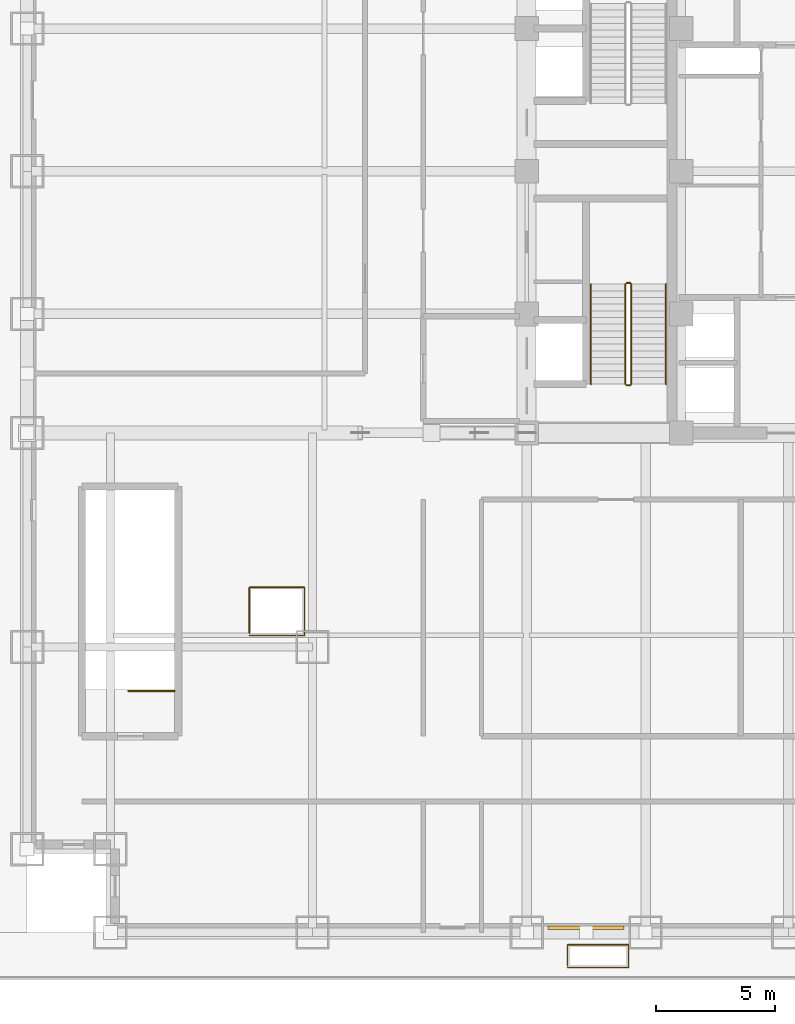
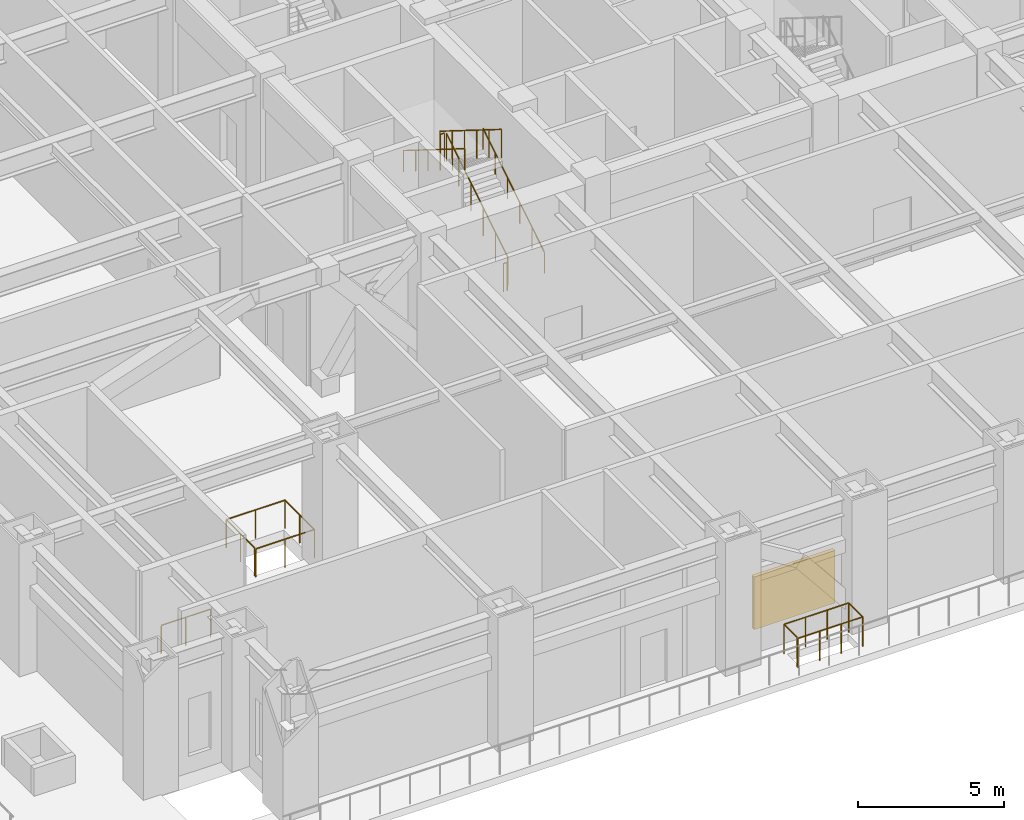
# One storey, part 17 of 21: 9 railings, 1 shading device.
"""IFC4 building model written with IfcOpenShell, lengths in metres."""

from ifc_helpers import new_model, si_unit, direction, frame, origin, origin_2d, place, context, subcontext, project, spatial, rectangle, circle, extrude, source, transform, mapped, material, layer, layer_set, type_object, element, save


model = new_model("IFC4")

# Units and contexts
model_context = context("Model", 3, precision=1e-05, world=origin(), true_north=direction((0.0, 1.0)))
body_context = subcontext(model_context, "Body", "Model", "MODEL_VIEW")
ifc_project = project(units=[si_unit("LENGTHUNIT", "METRE"), si_unit("AREAUNIT", "SQUARE_METRE"), si_unit("VOLUMEUNIT", "CUBIC_METRE"), si_unit("PLANEANGLEUNIT", "RADIAN"), si_unit("MASSUNIT", "GRAM", prefix="KILO")], contexts=[model_context])

# Site, building, storey
site_placement = place(None, origin())
site = spatial("IfcSite", under=ifc_project, at=site_placement, CompositionType="ELEMENT")
building_placement = place(site_placement, origin())
building = spatial("IfcBuilding", under=site, at=building_placement, Name="Khorayat Bourse Tower", CompositionType="ELEMENT")
storey_placement = place(building_placement, frame((0.0, 0.0, 27.0)))
storey = spatial("IfcBuildingStorey", under=building, at=storey_placement, Name="L05", CompositionType="ELEMENT", Elevation=27.0)

# Railing
ifc_material_1 = material(Name="Laminated glass and bronze balustrade", Category="glass")
railing_type_1 = type_object("IfcRailingType", Name="RLG-TERR-1250", PredefinedType="GUARDRAIL", material=ifc_material_1)
shared_shape_1 = source(origin(), body_context, "Body", "SweptSolid", [
    extrude(circle(Radius=0.02392578125, at=origin_2d()), frame((0.0, 0.0, 1.22607421875), z_axis=(1.0, 0.0, 0.0), x_axis=(0.0, 1.0, 0.0)), (0.0, 0.0, 1.0), 2.56005859375),
    extrude(circle(Radius=0.02392578125, at=origin_2d()), frame((2.56005859375, 0.0, 1.22607421875), z_axis=(0.0, 1.0, 0.0), x_axis=(-1.0, 0.0, 0.0)), (0.0, 0.0, 1.0), 0.9599609375),
    extrude(circle(Radius=0.02392578125, at=origin_2d()), frame((2.56005859375, 0.9599609375, 1.22607421875), z_axis=(-1.0, 0.0, 0.0), x_axis=(0.0, -1.0, 0.0)), (0.0, 0.0, 1.0), 2.56005859375),
    extrude(circle(Radius=0.02392578125, at=origin_2d()), frame((0.0, 0.9599609375, 1.22607421875), z_axis=(0.0, -1.0, 0.0), x_axis=(1.0, 0.0, 0.0)), (0.0, 0.0, 1.0), 0.8798828125),
    extrude(circle(Radius=0.02099609375, at=origin_2d()), origin(), (0.0, 0.0, 1.0), 1.201904296875),
    extrude(circle(Radius=0.02099609375, at=origin_2d()), frame((0.853271484375, 0.0, 0.0)), (0.0, 0.0, 1.0), 1.201904296875),
    extrude(circle(Radius=0.02099609375, at=origin_2d()), frame((1.706787109375, 0.0, 0.0)), (0.0, 0.0, 1.0), 1.201904296875),
    extrude(circle(Radius=0.02099609375, at=origin_2d()), frame((2.56005859375, 0.0, 0.0)), (0.0, 0.0, 1.0), 1.201904296875),
    extrude(circle(Radius=0.02099609375, at=origin_2d()), frame((2.56005859375, 0.9599609375, 0.0)), (0.0, 0.0, 1.0), 1.201904296875),
    extrude(circle(Radius=0.02099609375, at=origin_2d()), frame((1.706787109375, 0.9599609375, 0.0)), (0.0, 0.0, 1.0), 1.201904296875),
    extrude(circle(Radius=0.02099609375, at=origin_2d()), frame((0.853271484375, 0.9599609375, 0.0)), (0.0, 0.0, 1.0), 1.201904296875),
    extrude(circle(Radius=0.02099609375, at=origin_2d()), frame((0.0, 0.9599609375, 0.0)), (0.0, 0.0, 1.0), 1.201904296875),
    extrude(circle(Radius=0.02099609375, at=origin_2d()), frame((0.0, 0.080078125, 0.0)), (0.0, 0.0, 1.0), 1.201904296875),
])
railing_1_placement = place(storey_placement, frame((-9.280029296875, -33.47998046875, 0.0)))
element("IfcRailing", 1, at=railing_1_placement, inside=storey, type_object=railing_type_1, Name="L05 Terrace Tree-Pit Guardrail 02", PredefinedType="GUARDRAIL", context=body_context, shape_type="MappedRepresentation", body=[
    mapped(shared_shape_1, transform((0.0, 0.0, 0.0), scale=1.0)),
])

# Shading device
ifc_material_2 = material(Name="Anodised champagne aluminium", Category="aluminium")
ifc_layer = layer(ifc_material_2, 0.14990234375)
ifc_layer_set = layer_set([ifc_layer], Name="Anodised champagne aluminium")
shading_device_type = type_object("IfcShadingDeviceType", Name="SHD-PLANT-LOUVRE", PredefinedType="JALOUSIE", material=ifc_layer_set)
shared_shape_2 = source(origin(), body_context, "Body", "SweptSolid", [
    extrude(rectangle(XDim=3.199951171875, YDim=0.14990234375, at=origin_2d()), origin(), (0.0, 0.0, 1.0), 2.199951171875),
])
shading_device_placement = place(storey_placement, frame((-8.5, -31.81005859375, 0.89990234375), z_axis=(0.0, 0.0, 1.0), x_axis=(1.0, 0.0, 0.0)))
element("IfcShadingDevice", 2, at=shading_device_placement, inside=storey, type_object=shading_device_type, Name="L05 Acoustic Plant Intake Louvre S-1", PredefinedType="JALOUSIE", context=body_context, shape_type="MappedRepresentation", body=[
    mapped(shared_shape_2, transform((0.0, 0.0, 0.0), scale=1.0)),
])

# Railings
ifc_material_3 = material(Name="Powder-coated steel balustrade", Category="steel")
railing_type_2 = type_object("IfcRailingType", Name="RLG-GUARD-1200", PredefinedType="GUARDRAIL", material=ifc_material_3)
shared_shape_3 = source(origin(), body_context, "Body", "SweptSolid", [
    extrude(circle(Radius=0.02392578125, at=origin_2d()), frame((0.0, 0.0, 1.17578125), z_axis=(-1.0, 0.0, 0.0), x_axis=(0.0, -1.0, 0.0)), (0.0, 0.0, 1.0), 0.150146484375),
    extrude(circle(Radius=0.02099609375, at=origin_2d()), origin(), (0.0, 0.0, 1.0), 1.15185546875),
    extrude(circle(Radius=0.02099609375, at=origin_2d()), frame((-0.150146484375, 0.0, 0.0)), (0.0, 0.0, 1.0), 1.15185546875),
])
for number, where, name in (
    (3, (-6.64990234375, -4.699951171875, 2.800048828125), "L05 ST-1 stair guard 2"),
    (4, (-6.64990234375, -9.0, 0.0), "L05 ST-1 stair guard 4"),
):
    element("IfcRailing", number, at=place(storey_placement, frame(where)), inside=storey, type_object=railing_type_2, Name=name, PredefinedType="GUARDRAIL", context=body_context, shape_type="MappedRepresentation", body=[
        mapped(shared_shape_3, transform((0.0, 0.0, 0.0), scale=1.0)),
    ])
shared_shape_4 = source(origin(), body_context, "Body", "SweptSolid", [
    extrude(circle(Radius=0.02392578125, at=origin_2d()), frame((0.0, 0.0, 1.17578125), z_axis=(0.0, 0.847995534698, 0.530003370869), x_axis=(-1.0, 0.0, 0.0)), (0.0, 0.0, 1.0), 4.952880859375),
    extrude(circle(Radius=0.02099609375, at=origin_2d()), origin(), (0.0, 0.0, 1.0), 1.15185546875),
    extrude(circle(Radius=0.02099609375, at=origin_2d()), frame((0.0, 0.840087890625, 0.52490234375)), (0.0, 0.0, 1.0), 1.15185546875),
    extrude(circle(Radius=0.02099609375, at=origin_2d()), frame((0.0, 1.679931640625, 1.050048828125)), (0.0, 0.0, 1.0), 1.15185546875),
    extrude(circle(Radius=0.02099609375, at=origin_2d()), frame((0.0, 2.52001953125, 1.574951171875)), (0.0, 0.0, 1.0), 1.15185546875),
    extrude(circle(Radius=0.02099609375, at=origin_2d()), frame((0.0, 3.35986328125, 2.10009765625)), (0.0, 0.0, 1.0), 1.15185546875),
    extrude(circle(Radius=0.02099609375, at=origin_2d()), frame((0.0, 4.199951171875, 2.625)), (0.0, 0.0, 1.0), 1.15185546875),
])
railing_2_placement = place(storey_placement, frame((-6.60009765625, -8.949951171875, 0.175048828125)))
element("IfcRailing", 5, at=railing_2_placement, inside=storey, type_object=railing_type_2, Name="L05 ST-1 stair guard 1", PredefinedType="GUARDRAIL", context=body_context, shape_type="MappedRepresentation", body=[
    mapped(shared_shape_4, transform((0.0, 0.0, 0.0), scale=1.0)),
])
shared_shape_5 = source(origin(), body_context, "Body", "SweptSolid", [
    extrude(circle(Radius=0.02392578125, at=origin_2d()), frame((0.0, 0.0, 1.17578125), z_axis=(0.0, -0.847995534698, 0.530003370869), x_axis=(1.0, 0.0, 0.0)), (0.0, 0.0, 1.0), 4.952880859375),
    extrude(circle(Radius=0.02099609375, at=origin_2d()), origin(), (0.0, 0.0, 1.0), 1.15185546875),
    extrude(circle(Radius=0.02099609375, at=origin_2d()), frame((0.0, -0.840087890625, 0.52490234375)), (0.0, 0.0, 1.0), 1.15185546875),
    extrude(circle(Radius=0.02099609375, at=origin_2d()), frame((0.0, -1.679931640625, 1.050048828125)), (0.0, 0.0, 1.0), 1.15185546875),
    extrude(circle(Radius=0.02099609375, at=origin_2d()), frame((0.0, -2.52001953125, 1.574951171875)), (0.0, 0.0, 1.0), 1.15185546875),
    extrude(circle(Radius=0.02099609375, at=origin_2d()), frame((0.0, -3.35986328125, 2.10009765625)), (0.0, 0.0, 1.0), 1.15185546875),
    extrude(circle(Radius=0.02099609375, at=origin_2d()), frame((0.0, -4.199951171875, 2.625)), (0.0, 0.0, 1.0), 1.15185546875),
])
railing_3_placement = place(storey_placement, frame((-6.85009765625, -4.75, 2.97509765625)))
element("IfcRailing", 6, at=railing_3_placement, inside=storey, type_object=railing_type_2, Name="L05 ST-1 stair guard 3", PredefinedType="GUARDRAIL", context=body_context, shape_type="MappedRepresentation", body=[
    mapped(shared_shape_5, transform((0.0, 0.0, 0.0), scale=1.0)),
])
ifc_material_4 = material(Name="Brushed bronze stainless-steel handrail", Category="steel")
railing_type_3 = type_object("IfcRailingType", Name="RLG-HAND-900", PredefinedType="HANDRAIL", material=ifc_material_4)
shared_shape_6 = source(origin(), body_context, "Body", "SweptSolid", [
    extrude(circle(Radius=0.02392578125, at=origin_2d()), frame((0.0, 0.0, 0.8759765625), z_axis=(0.0, 0.847995534698, 0.530003370869), x_axis=(-1.0, 0.0, 0.0)), (0.0, 0.0, 1.0), 4.952880859375),
    extrude(circle(Radius=0.02099609375, at=origin_2d()), origin(), (0.0, 0.0, 1.0), 0.851806640625),
    extrude(circle(Radius=0.02099609375, at=origin_2d()), frame((0.0, 0.840087890625, 0.52490234375)), (0.0, 0.0, 1.0), 0.851806640625),
    extrude(circle(Radius=0.02099609375, at=origin_2d()), frame((0.0, 1.679931640625, 1.050048828125)), (0.0, 0.0, 1.0), 0.851806640625),
    extrude(circle(Radius=0.02099609375, at=origin_2d()), frame((0.0, 2.52001953125, 1.574951171875)), (0.0, 0.0, 1.0), 0.851806640625),
    extrude(circle(Radius=0.02099609375, at=origin_2d()), frame((0.0, 3.35986328125, 2.10009765625)), (0.0, 0.0, 1.0), 0.851806640625),
    extrude(circle(Radius=0.02099609375, at=origin_2d()), frame((0.0, 4.199951171875, 2.625)), (0.0, 0.0, 1.0), 0.851806640625),
])
railing_4_placement = place(storey_placement, frame((-5.14990234375, -8.949951171875, 0.175048828125)))
element("IfcRailing", 7, at=railing_4_placement, inside=storey, type_object=railing_type_3, Name="L05 ST-1 stair handrail 1", PredefinedType="HANDRAIL", context=body_context, shape_type="MappedRepresentation", body=[
    mapped(shared_shape_6, transform((0.0, 0.0, 0.0), scale=1.0)),
])
shared_shape_7 = source(origin(), body_context, "Body", "SweptSolid", [
    extrude(circle(Radius=0.02392578125, at=origin_2d()), frame((0.0, 0.0, 0.8759765625), z_axis=(0.0, -0.847995534698, 0.530003370869), x_axis=(1.0, 0.0, 0.0)), (0.0, 0.0, 1.0), 4.952880859375),
    extrude(circle(Radius=0.02099609375, at=origin_2d()), origin(), (0.0, 0.0, 1.0), 0.851806640625),
    extrude(circle(Radius=0.02099609375, at=origin_2d()), frame((0.0, -0.840087890625, 0.52490234375)), (0.0, 0.0, 1.0), 0.851806640625),
    extrude(circle(Radius=0.02099609375, at=origin_2d()), frame((0.0, -1.679931640625, 1.050048828125)), (0.0, 0.0, 1.0), 0.851806640625),
    extrude(circle(Radius=0.02099609375, at=origin_2d()), frame((0.0, -2.52001953125, 1.574951171875)), (0.0, 0.0, 1.0), 0.851806640625),
    extrude(circle(Radius=0.02099609375, at=origin_2d()), frame((0.0, -3.35986328125, 2.10009765625)), (0.0, 0.0, 1.0), 0.851806640625),
    extrude(circle(Radius=0.02099609375, at=origin_2d()), frame((0.0, -4.199951171875, 2.625)), (0.0, 0.0, 1.0), 0.851806640625),
])
railing_5_placement = place(storey_placement, frame((-8.300048828125, -4.75, 2.97509765625)))
element("IfcRailing", 8, at=railing_5_placement, inside=storey, type_object=railing_type_3, Name="L05 ST-1 stair handrail 2", PredefinedType="HANDRAIL", context=body_context, shape_type="MappedRepresentation", body=[
    mapped(shared_shape_7, transform((0.0, 0.0, 0.0), scale=1.0)),
])
shared_shape_8 = source(origin(), body_context, "Body", "SweptSolid", [
    extrude(circle(Radius=0.02392578125, at=origin_2d()), frame((0.0, 0.0, 1.17578125), z_axis=(-1.0, 0.0, 0.0), x_axis=(0.0, -1.0, 0.0)), (0.0, 0.0, 1.0), 1.949951171875),
    extrude(circle(Radius=0.02099609375, at=origin_2d()), origin(), (0.0, 0.0, 1.0), 1.15185546875),
    extrude(circle(Radius=0.02099609375, at=origin_2d()), frame((-0.97509765625, 0.0, 0.0)), (0.0, 0.0, 1.0), 1.15185546875),
    extrude(circle(Radius=0.02099609375, at=origin_2d()), frame((-1.949951171875, 0.0, 0.0)), (0.0, 0.0, 1.0), 1.15185546875),
])
railing_6_placement = place(storey_placement, frame((-25.800048828125, -21.85009765625, 0.0)))
element("IfcRailing", 9, at=railing_6_placement, inside=storey, type_object=railing_type_2, Name="L05 ST-P1 top well guard 1", PredefinedType="GUARDRAIL", context=body_context, shape_type="MappedRepresentation", body=[
    mapped(shared_shape_8, transform((0.0, 0.0, 0.0), scale=1.0)),
])
shared_shape_9 = source(origin(), body_context, "Body", "SweptSolid", [
    extrude(circle(Radius=0.02392578125, at=origin_2d()), frame((0.0, 0.0, 1.17578125), z_axis=(1.0, 0.0, 0.0), x_axis=(0.0, 1.0, 0.0)), (0.0, 0.0, 1.0), 2.31982421875),
    extrude(circle(Radius=0.02392578125, at=origin_2d()), frame((2.31982421875, 0.0, 1.17578125), z_axis=(0.0, 1.0, 0.0), x_axis=(-1.0, 0.0, 0.0)), (0.0, 0.0, 1.0), 2.02001953125),
    extrude(circle(Radius=0.02392578125, at=origin_2d()), frame((2.31982421875, 2.02001953125, 1.17578125), z_axis=(-1.0, 0.0, 0.0), x_axis=(0.0, -1.0, 0.0)), (0.0, 0.0, 1.0), 2.31982421875),
    extrude(circle(Radius=0.02392578125, at=origin_2d()), frame((0.0, 2.02001953125, 1.17578125), z_axis=(0.0, -1.0, 0.0), x_axis=(1.0, 0.0, 0.0)), (0.0, 0.0, 1.0), 1.93994140625),
    extrude(circle(Radius=0.02099609375, at=origin_2d()), origin(), (0.0, 0.0, 1.0), 1.15185546875),
    extrude(circle(Radius=0.02099609375, at=origin_2d()), frame((1.159912109375, 0.0, 0.0)), (0.0, 0.0, 1.0), 1.15185546875),
    extrude(circle(Radius=0.02099609375, at=origin_2d()), frame((2.31982421875, 0.0, 0.0)), (0.0, 0.0, 1.0), 1.15185546875),
    extrude(circle(Radius=0.02099609375, at=origin_2d()), frame((2.31982421875, 1.010009765625, 0.0)), (0.0, 0.0, 1.0), 1.15185546875),
    extrude(circle(Radius=0.02099609375, at=origin_2d()), frame((2.31982421875, 2.02001953125, 0.0)), (0.0, 0.0, 1.0), 1.15185546875),
    extrude(circle(Radius=0.02099609375, at=origin_2d()), frame((1.159912109375, 2.02001953125, 0.0)), (0.0, 0.0, 1.0), 1.15185546875),
    extrude(circle(Radius=0.02099609375, at=origin_2d()), frame((0.0, 2.02001953125, 0.0)), (0.0, 0.0, 1.0), 1.15185546875),
    extrude(circle(Radius=0.02099609375, at=origin_2d()), frame((0.0, 1.050048828125, 0.0)), (0.0, 0.0, 1.0), 1.15185546875),
    extrude(circle(Radius=0.02099609375, at=origin_2d()), frame((0.0, 0.080078125, 0.0)), (0.0, 0.0, 1.0), 1.15185546875),
])
railing_7_placement = place(storey_placement, frame((-22.659912109375, -19.510009765625, 0.0)))
element("IfcRailing", 10, at=railing_7_placement, inside=storey, type_object=railing_type_2, Name="L05 Shuttle Lift Overrun Guardrail 1", PredefinedType="GUARDRAIL", context=body_context, shape_type="MappedRepresentation", body=[
    mapped(shared_shape_9, transform((0.0, 0.0, 0.0), scale=1.0)),
])

save(model, "model.ifc")
